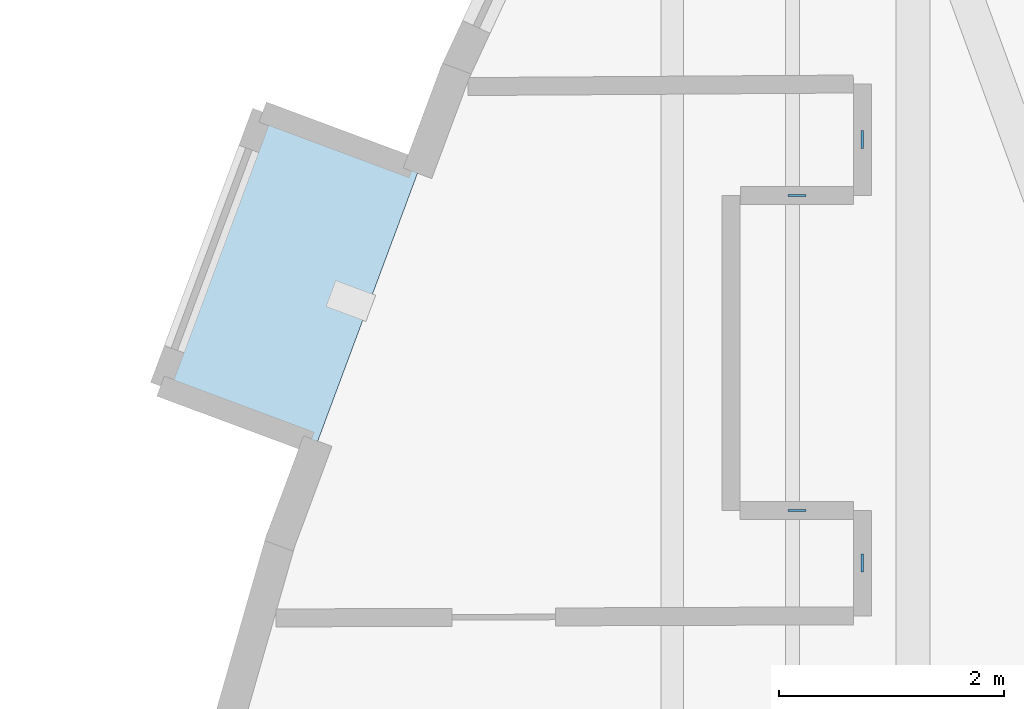
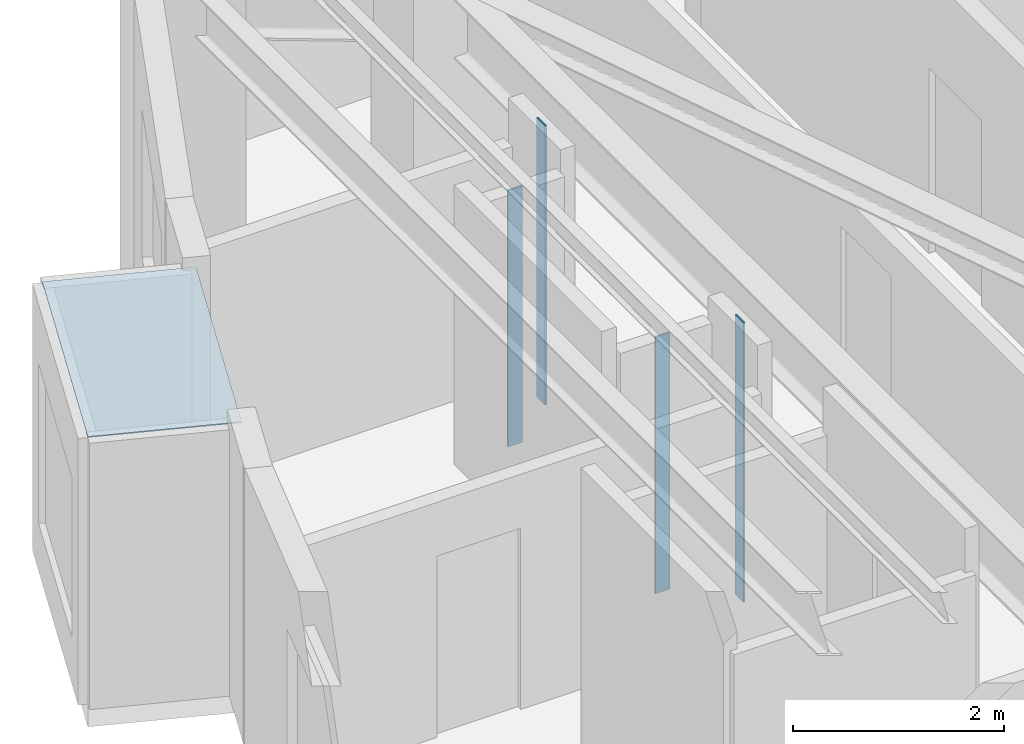
# One storey, part 4 of 14: 5 plates.
"""IFC4 building model written with IfcOpenShell, lengths in metres."""

import ifcopenshell
import ifcopenshell.guid

model = None  # the IFC model being written
_history = None  # IfcOwnerHistory: only IFC2X3 demands one
_inside = {}  # id of a spatial element -> (the spatial element, [elements in it])
_under = {}  # id of a project, library or spatial element -> (it, [spatial elements below it])
_declared = {}  # id of a project -> (the project, [libraries it declares])
_typed = {}  # id of a type object -> (the type object, [elements of that type])
_made_of = {}  # id of a material, layer set ... -> (it, [elements and type objects made of it])


def new_model(schema):
    """Start an empty IFC model of exactly this schema.

    Asked for "IFC4X3", IfcOpenShell would pick the latest addendum, in which some entities
    have other attributes; the version numbers below select the first issue.
    IFC2X3 requires an IfcOwnerHistory on every rooted entity: one is made here for all.
    """
    global model, _history
    if schema == "IFC4X3":
        model = ifcopenshell.file(schema_version=(4, 3, 0, 0))
    else:
        model = ifcopenshell.file(schema=schema)
    _inside.clear()
    _under.clear()
    _declared.clear()
    _typed.clear()
    _made_of.clear()
    _history = None
    if model.schema == "IFC2X3":
        org = make("IfcOrganization", Name="unknown")
        user = make(
            "IfcPersonAndOrganization",
            ThePerson=make("IfcPerson", FamilyName="unknown"),
            TheOrganization=org,
        )
        app = make(
            "IfcApplication",
            ApplicationDeveloper=org,
            Version="unknown",
            ApplicationFullName="unknown",
            ApplicationIdentifier="unknown",
        )
        _history = make(
            "IfcOwnerHistory",
            OwningUser=user,
            OwningApplication=app,
            ChangeAction="ADDED",
            CreationDate=0,
        )
    return model


def make(cls, **values):
    """One entity of the class cls with the attributes given. An attribute that is None is left unset."""
    return model.create_entity(
        cls, **{name: value for name, value in values.items() if value is not None}
    )


def rooted(cls, **values):
    """An entity with a GlobalId (a new one), such as an element, a storey or a relation."""
    return make(cls, GlobalId=ifcopenshell.guid.new(), OwnerHistory=_history, **values)


def si_unit(unit_type, name, prefix=None):
    """IfcSIUnit, for example si_unit("LENGTHUNIT", "METRE", prefix="MILLI")."""
    return make("IfcSIUnit", UnitType=unit_type, Prefix=prefix, Name=name)


def assignment(units):
    """IfcUnitAssignment: the units of a project."""
    return None if units is None else make("IfcUnitAssignment", Units=units)


def point(xyz):
    """IfcCartesianPoint."""
    return None if xyz is None else make("IfcCartesianPoint", Coordinates=xyz)


def direction(xyz):
    """IfcDirection."""
    return None if xyz is None else make("IfcDirection", DirectionRatios=xyz)


def frame(location, z_axis=None, x_axis=None):
    """IfcAxis2Placement3D, a coordinate frame: its origin and axes. An axis left out is left unset."""
    return make(
        "IfcAxis2Placement3D",
        Location=point(location),
        Axis=direction(z_axis),
        RefDirection=direction(x_axis),
    )


def frame_2d(location, x_axis=None):
    """IfcAxis2Placement2D, a coordinate frame in the plane: its origin and x axis."""
    return make(
        "IfcAxis2Placement2D", Location=point(location), RefDirection=direction(x_axis)
    )


def origin():
    """The frame at (0, 0, 0) with its axes left unset."""
    return frame((0.0, 0.0, 0.0))


def origin_2d():
    """The frame at (0, 0) in the plane with its x axis left unset."""
    return frame_2d((0.0, 0.0))


def place(relative_to, where):
    """IfcLocalPlacement: puts the frame where relative to a parent placement (None: the world)."""
    return make(
        "IfcLocalPlacement", PlacementRelTo=relative_to, RelativePlacement=where
    )


def context(
    kind, dimensions, precision=None, world=None, true_north=None, identifier=None
):
    """IfcGeometricRepresentationContext, for example the 3D "Model" context."""
    return make(
        "IfcGeometricRepresentationContext",
        ContextIdentifier=identifier,
        ContextType=kind,
        CoordinateSpaceDimension=dimensions,
        Precision=precision,
        WorldCoordinateSystem=world,
        TrueNorth=true_north,
    )


def subcontext(parent, identifier, kind, view, scale=None):
    """IfcGeometricRepresentationSubContext, for example "Body" below "Model"."""
    return make(
        "IfcGeometricRepresentationSubContext",
        ContextIdentifier=identifier,
        ContextType=kind,
        ParentContext=parent,
        TargetScale=scale,
        TargetView=view,
    )


def project(units=None, contexts=None):
    """IfcProject with its units and contexts."""
    return rooted(
        "IfcProject",
        Name="project",
        RepresentationContexts=contexts,
        UnitsInContext=assignment(units),
    )


def spatial(cls, under=None, at=None, **own):
    """A site, building, storey or space (cls), placed at a placement, below another one or the project."""
    s = rooted(cls, ObjectPlacement=at, **own)
    if under is not None:
        _under.setdefault(under.id(), (under, []))[1].append(s)
    return s


def polyline(points):
    """IfcPolyline through the points."""
    return make("IfcPolyline", Points=[point(p) for p in points])


def profile(cls, at=None, kind="AREA", **sizes):
    """A parametric profile (cls). Its sizes go by their IFC names, for example OverallWidth=200.0."""
    return make(cls, ProfileType=kind, Position=at, **sizes)


def rectangle(**sizes):
    """IfcRectangleProfileDef."""
    return profile("IfcRectangleProfileDef", **sizes)


def outline(outer, holes=None, kind="AREA"):
    """IfcArbitraryClosedProfileDef: a profile drawn as a closed curve; with holes, ...WithVoids."""
    if holes is None:
        return make("IfcArbitraryClosedProfileDef", ProfileType=kind, OuterCurve=outer)
    return make(
        "IfcArbitraryProfileDefWithVoids",
        ProfileType=kind,
        OuterCurve=outer,
        InnerCurves=holes,
    )


def extrude(swept, where, along, depth):
    """IfcExtrudedAreaSolid: the profile swept, set in the frame where, extruded along a direction by depth."""
    return make(
        "IfcExtrudedAreaSolid",
        SweptArea=swept,
        Position=where,
        ExtrudedDirection=direction(along),
        Depth=depth,
    )


def shape(context_of_items, identifier, shape_type, items):
    """IfcShapeRepresentation: the items that make up one representation, for example the "Body"."""
    return make(
        "IfcShapeRepresentation",
        ContextOfItems=context_of_items,
        RepresentationIdentifier=identifier,
        RepresentationType=shape_type,
        Items=items,
    )


def material(Name=None, Category=None):
    """IfcMaterial."""
    return make("IfcMaterial", Name=Name, Category=Category)


def layer(
    of_material, thickness, ventilated=None, Name=None, Category=None, Priority=None
):
    """IfcMaterialLayer: one layer of a wall or slab, of a material (None: an air gap)."""
    return make(
        "IfcMaterialLayer",
        Material=of_material,
        LayerThickness=thickness,
        IsVentilated=ventilated,
        Name=Name,
        Category=Category,
        Priority=Priority,
    )


def layer_set(layers, Name=None):
    """IfcMaterialLayerSet."""
    return make("IfcMaterialLayerSet", MaterialLayers=layers, LayerSetName=Name)


def made_of(thing, what):
    """Note that an element or type object is made of a material, layer set ...; save() writes the relation."""
    if what is not None:
        _made_of.setdefault(what.id(), (what, []))[1].append(thing)
    return thing


def type_object(cls, material=None, **own):
    """A type object (cls), such as IfcWallType, which elements share."""
    return made_of(rooted(cls, **own), material)


def element(
    cls,
    number,
    at=None,
    inside=None,
    cuts=None,
    type_object=None,
    material=None,
    context=None,
    identifier="Body",
    shape_type=None,
    held_by="IfcProductDefinitionShape",
    body=None,
    shapes=None,
    **own,
):
    """One element of the class cls, such as IfcWall. Its Tag is "e" and its number.

    at: its placement. inside: the storey or other place that contains it. cuts: it is an
    opening in that element (IfcRelVoidsElement). A single representation is given by context,
    identifier, shape_type and body (its items); several are given by shapes. held_by: the class
    of the entity that holds the representations. save() writes the other relations.
    """
    e = rooted(cls, Tag="e%d" % number, ObjectPlacement=at, **own)
    if body is not None:
        shapes = [shape(context, identifier, shape_type, body)]
    if shapes is not None:
        e.Representation = make(held_by, Representations=shapes)
    if inside is not None:
        _inside.setdefault(inside.id(), (inside, []))[1].append(e)
    if cuts is not None:
        rooted(
            "IfcRelVoidsElement", RelatingBuildingElement=cuts, RelatedOpeningElement=e
        )
    if type_object is not None:
        _typed.setdefault(type_object.id(), (type_object, []))[1].append(e)
    return made_of(e, material)


def aggregate(whole, parts):
    """IfcRelAggregates: a whole, such as a stair, and the parts it consists of."""
    return rooted("IfcRelAggregates", RelatingObject=whole, RelatedObjects=parts)


def save(model, path):
    """Write the relations noted so far, then the file.

    IfcRelAggregates (storeys below a building ...), IfcRelContainedInSpatialStructure (elements
    in a storey), IfcRelDefinesByType, IfcRelAssociatesMaterial and IfcRelDeclares: one each for
    every whole, place, type object, material and project.
    """
    for whole, parts in _under.values():
        aggregate(whole, parts)
    for where, things in _inside.values():
        rooted(
            "IfcRelContainedInSpatialStructure",
            RelatedElements=things,
            RelatingStructure=where,
        )
    for kind, things in _typed.values():
        rooted("IfcRelDefinesByType", RelatedObjects=things, RelatingType=kind)
    for what, things in _made_of.values():
        rooted("IfcRelAssociatesMaterial", RelatedObjects=things, RelatingMaterial=what)
    for by, libraries in _declared.values():
        rooted("IfcRelDeclares", RelatingContext=by, RelatedDefinitions=libraries)
    model.write(path)


model = new_model("IFC4")

# Units and contexts
model_context = context("Model", 3, precision=1e-05, world=origin(), true_north=direction((0.0, 1.0)))
body_context = subcontext(model_context, "Body", "Model", "MODEL_VIEW")
ifc_project = project(units=[si_unit("LENGTHUNIT", "METRE"), si_unit("AREAUNIT", "SQUARE_METRE"), si_unit("VOLUMEUNIT", "CUBIC_METRE"), si_unit("PLANEANGLEUNIT", "RADIAN"), si_unit("MASSUNIT", "GRAM", prefix="KILO")], contexts=[model_context])

# Site, building, storey
site_placement = place(None, origin())
site = spatial("IfcSite", under=ifc_project, at=site_placement, CompositionType="ELEMENT")
building_placement = place(site_placement, origin())
building = spatial("IfcBuilding", under=site, at=building_placement, Name="Miruveldt Soraemaru", CompositionType="ELEMENT")
storey_placement = place(building_placement, frame((0.0, 0.0, 131.89990234375)))
storey = spatial("IfcBuildingStorey", under=building, at=storey_placement, Name="L36", CompositionType="ELEMENT", Elevation=131.89990234375)

# Plates
ifc_material_1 = material(Name="Anodised aluminium EN AW-6063 T6", Category="aluminium")
ifc_layer_1 = layer(ifc_material_1, 0.02001953125, Name="Anodised aluminium EN AW-6063 T6", Category="aluminium")
ifc_layer_set_1 = layer_set([ifc_layer_1], Name="Anodised aluminium EN AW-6063 T6")
plate_type_1 = type_object("IfcPlateType", Name="PLT-PART-TRIM", PredefinedType="SHEET", material=ifc_layer_set_1)
for number, where, z_axis, x_axis, name in (
    (1, (30.367431640625, 47.330078125, 0.0), (0.0, 0.0, 1.0), (-1.0, 0.0, 0.0), "L36 Partition Step Corner Trim Plate 044"),
    (2, (30.367431640625, 44.530029296875, 0.0), (0.0, 0.0, 1.0), (1.0, 0.0, 0.0), "L36 Partition Step Corner Trim Plate 046"),
):
    element("IfcPlate", number, at=place(storey_placement, frame(where, z_axis=z_axis, x_axis=x_axis)), inside=storey, type_object=plate_type_1, Name=name, PredefinedType="SHEET", context=body_context, shape_type="SweptSolid", body=[
        extrude(rectangle(XDim=0.159912109375, YDim=0.02001953125, at=origin_2d()), origin(), (0.0, 0.0, 1.0), 2.972900390625),
    ])
for number, where, z_axis, x_axis, name in (
    (3, (30.949951171875, 47.825439453125, 0.0), (0.0, 0.0, 1.0), (0.0, -1.0, 0.0), "L36 Partition Step Corner Trim Plate 043"),
    (4, (30.949951171875, 44.0615234375, 0.0), (0.0, 0.0, 1.0), (0.0, -1.0, 0.0), "L36 Partition Step Corner Trim Plate 047"),
):
    element("IfcPlate", number, at=place(storey_placement, frame(where, z_axis=z_axis, x_axis=x_axis)), inside=storey, type_object=plate_type_1, Name=name, PredefinedType="SHEET", context=body_context, shape_type="SweptSolid", body=[
        extrude(rectangle(XDim=0.159912109375, YDim=0.02001953125, at=origin_2d()), origin(), (0.0, 0.0, 1.0), 3.235107421875),
    ])
ifc_material_2 = material(Name="Standing-seam titanium-zinc sheet", Category="aluminium")
ifc_layer_2 = layer(ifc_material_2, 0.011962890625, Name="Standing-seam titanium-zinc sheet", Category="aluminium")
ifc_layer_set_2 = layer_set([ifc_layer_2], Name="Standing-seam titanium-zinc sheet")
plate_type_2 = type_object("IfcPlateType", Name="PLT-ZINC-12", PredefinedType="SHEET", material=ifc_layer_set_2)
plate_placement = place(storey_placement, frame((0.0, 0.0, 3.085205078125)))
element("IfcPlate", 5, at=plate_placement, inside=storey, type_object=plate_type_2, Name="L36 Bay Window Zinc Hood Sheet 2", PredefinedType="SHEET", context=body_context, shape_type="SweptSolid", body=[
    extrude(outline(polyline([(27.007080078125, 47.554443359375), (26.099609375, 45.117919921875), (24.712646484375, 45.634521484375), (25.6201171875, 48.071044921875), (27.007080078125, 47.554443359375)])), origin(), (0.0, 0.0, 1.0), 0.011962890625),
])

save(model, "model.ifc")
